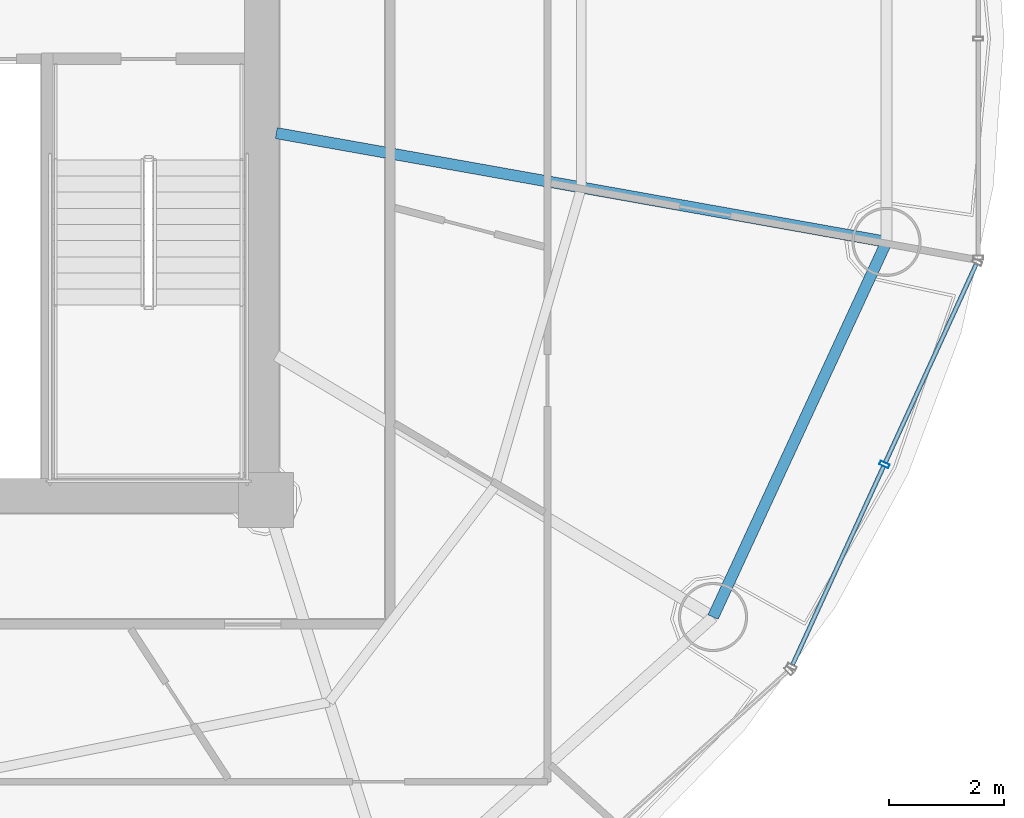
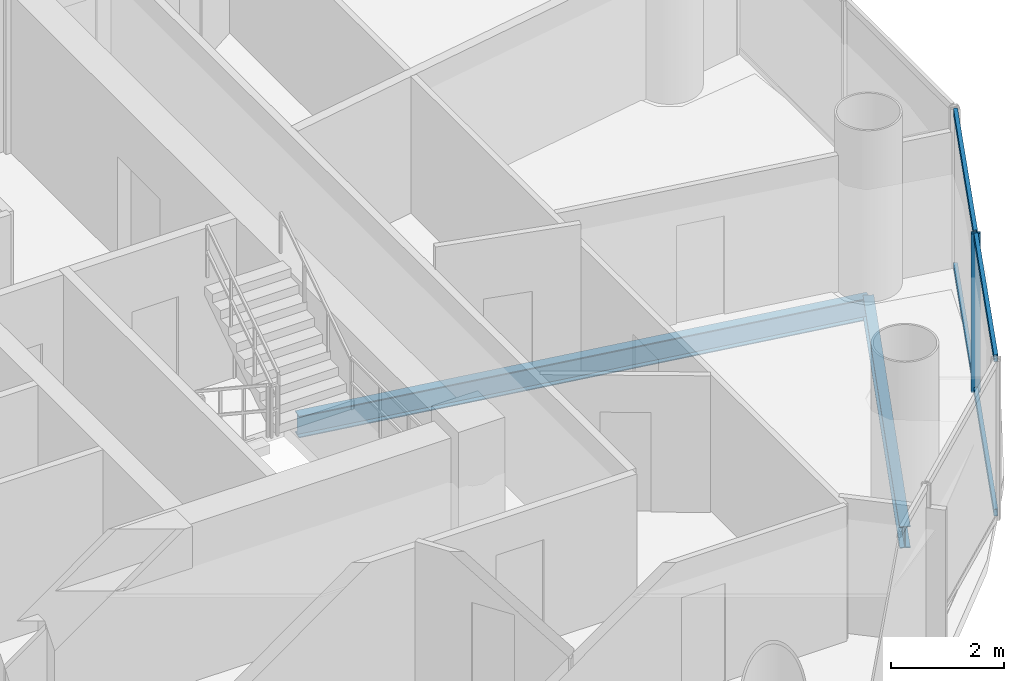
# One storey, part 11 of 27: 5 members, 2 beams, 1 element without a shape of its own.
"""IFC4 building model written with IfcOpenShell, lengths in metres."""

from ifc_helpers import new_model, si_unit, direction, frame, origin, origin_2d, place, context, subcontext, project, spatial, hollow_rectangle, i_section, extrude, source, transform, mapped, material, material_profile, profile_set, type_object, element, aggregate, save


model = new_model("IFC4")

# Units and contexts
model_context = context("Model", 3, precision=1e-05, world=origin(), true_north=direction((-0.2419218956, 0.970295726276)))
body_context = subcontext(model_context, "Body", "Model", "MODEL_VIEW")
ifc_project = project(units=[si_unit("LENGTHUNIT", "METRE"), si_unit("AREAUNIT", "SQUARE_METRE"), si_unit("VOLUMEUNIT", "CUBIC_METRE"), si_unit("PLANEANGLEUNIT", "RADIAN"), si_unit("MASSUNIT", "GRAM", prefix="KILO")], contexts=[model_context])

# Site, building, storey
site_placement = place(None, origin())
site = spatial("IfcSite", under=ifc_project, at=site_placement, CompositionType="ELEMENT")
building_placement = place(site_placement, origin())
building = spatial("IfcBuilding", under=site, at=building_placement, Name="Cobrevalo Terracotta Tower", CompositionType="ELEMENT")
storey_placement = place(building_placement, frame((0.0, 0.0, 198.60009765625)))
storey = spatial("IfcBuildingStorey", under=building, at=storey_placement, Name="L52", CompositionType="ELEMENT", Elevation=198.60009765625)

# Beams
ifc_material_1 = material(Name="Steel S355", Category="steel")
ifc_material_profile_1 = material_profile(ifc_material_1, i_section(OverallWidth=0.194091796875, OverallDepth=0.468994140625, WebThickness=0.011474609375, FlangeThickness=0.0205078125, at=origin_2d()), Name="W 460x106")
ifc_profile_set_1 = profile_set([ifc_material_profile_1], Name="Steel S355")
beam_type_1 = type_object("IfcBeamType", Name="Structural Beam W 460x106 (Steel S355)", PredefinedType="BEAM", material=ifc_profile_set_1)
beam_1_placement = place(storey_placement, frame((57.762939453125, 23.278564453125, -0.49951171875), z_axis=(-0.984493198547, 0.175422752274, 0.0), x_axis=(-0.175422752274, -0.984493198547, 0.0)))
element("IfcBeam", 1, at=beam_1_placement, inside=storey, type_object=beam_type_1, Name="L52 radial floor girder 16", PredefinedType="BEAM", context=body_context, shape_type="SweptSolid", body=[
    extrude(i_section(OverallWidth=0.194091796875, OverallDepth=0.468994140625, WebThickness=0.011474609375, FlangeThickness=0.0205078125, at=origin_2d()), origin(), (0.0, 0.0, 1.0), 10.749755859375),
])
ifc_material_profile_2 = material_profile(ifc_material_1, i_section(OverallWidth=0.194091796875, OverallDepth=0.468994140625, WebThickness=0.011474609375, FlangeThickness=0.0205078125, at=origin_2d()), Name="W 460x106")
ifc_profile_set_2 = profile_set([ifc_material_profile_2], Name="Steel S355")
beam_type_2 = type_object("IfcBeamType", Name="Structural Spandrel W 460x106 (Steel S355)", PredefinedType="SPANDREL", material=ifc_profile_set_2)
beam_2_placement = place(storey_placement, frame((54.754150390625, 16.77197265625, -0.49951171875), z_axis=(0.419718939129, 0.90765412583, 0.0), x_axis=(-0.90765412583, 0.419718939129, 0.0)))
element("IfcBeam", 2, at=beam_2_placement, inside=storey, type_object=beam_type_2, Name="L52 perimeter ring spandrel 15", PredefinedType="SPANDREL", context=body_context, shape_type="SweptSolid", body=[
    extrude(i_section(OverallWidth=0.194091796875, OverallDepth=0.468994140625, WebThickness=0.011474609375, FlangeThickness=0.0205078125, at=origin_2d()), origin(), (0.0, 0.0, 1.0), 7.168701171875),
])

# Curtain wall, members
ifc_material_2 = material(Name="Anodized aluminium", Category="aluminium")
curtain_wall_type = type_object("IfcCurtainWallType", Name="Mid-tower high-wind unitised curtain wall CW-U2", PredefinedType="NOTDEFINED", material=ifc_material_2)
curtain_wall_placement = place(storey_placement, origin())
curtain_wall = element("IfcCurtainWall", 3, at=curtain_wall_placement, inside=storey, type_object=curtain_wall_type, Name="L52 curtain wall CW-L52-S15", PredefinedType="NOTDEFINED")
ifc_material_profile_3 = material_profile(ifc_material_2, hollow_rectangle(XDim=0.074951171875, YDim=0.14990234375, WallThickness=0.00439453125, at=origin_2d()), Name="CWT 75x150")
ifc_profile_set_3 = profile_set([ifc_material_profile_3], Name="Anodized aluminium")
member_type_1 = type_object("IfcMemberType", Name="Tower unitised aluminium transom 75x150", PredefinedType="USERDEFINED", material=ifc_profile_set_3)
shared_shape_1 = source(origin(), body_context, "Body", "SweptSolid", [
    extrude(hollow_rectangle(XDim=0.074951171875, YDim=0.14990234375, WallThickness=0.00439453125, at=origin_2d()), origin(), (0.0, 0.0, 1.0), 3.780029296875),
])
member_1_placement = place(storey_placement, frame((56.134521484375, 15.944580078125, 0.0498046875), z_axis=(0.416705859352, 0.909041377926, 0.0), x_axis=(-0.909041377926, 0.416705859352, 0.0)))
member_1 = element("IfcMember", 4, at=member_1_placement, type_object=member_type_1, Name="CW-L52-S15 transom B01-T1", ObjectType="TRANSOM", PredefinedType="USERDEFINED", context=body_context, shape_type="MappedRepresentation", body=[
    mapped(shared_shape_1, transform((0.0, 0.0, 0.0), scale=1.0)),
])
member_2_placement = place(storey_placement, frame((56.134521484375, 15.944580078125, 3.385009765625), z_axis=(0.416705859352, 0.909041377926, 0.0), x_axis=(-0.909041377926, 0.416705859352, 0.0)))
member_2 = element("IfcMember", 5, at=member_2_placement, type_object=member_type_1, Name="CW-L52-S15 transom B01-T2", ObjectType="TRANSOM", PredefinedType="USERDEFINED", context=body_context, shape_type="MappedRepresentation", body=[
    mapped(shared_shape_1, transform((0.0, 0.0, 0.0), scale=1.0)),
])
member_3_placement = place(storey_placement, frame((57.7431640625, 19.45361328125, 0.0498046875), z_axis=(0.416705859352, 0.909041377926, 0.0), x_axis=(-0.909041377926, 0.416705859352, 0.0)))
member_3 = element("IfcMember", 6, at=member_3_placement, type_object=member_type_1, Name="CW-L52-S15 transom B02-T1", ObjectType="TRANSOM", PredefinedType="USERDEFINED", context=body_context, shape_type="MappedRepresentation", body=[
    mapped(shared_shape_1, transform((0.0, 0.0, 0.0), scale=1.0)),
])
member_4_placement = place(storey_placement, frame((57.7431640625, 19.45361328125, 3.385009765625), z_axis=(0.416705859352, 0.909041377926, 0.0), x_axis=(-0.909041377926, 0.416705859352, 0.0)))
member_4 = element("IfcMember", 7, at=member_4_placement, type_object=member_type_1, Name="CW-L52-S15 transom B02-T2", ObjectType="TRANSOM", PredefinedType="USERDEFINED", context=body_context, shape_type="MappedRepresentation", body=[
    mapped(shared_shape_1, transform((0.0, 0.0, 0.0), scale=1.0)),
])
ifc_material_profile_4 = material_profile(ifc_material_2, hollow_rectangle(XDim=0.070068359375, YDim=0.169921875, WallThickness=0.00439453125, at=origin_2d()), Name="CWM 70x170")
ifc_profile_set_4 = profile_set([ifc_material_profile_4], Name="Anodized aluminium")
member_type_2 = type_object("IfcMemberType", Name="Upper tower unitised mullion 70x170", PredefinedType="MULLION", material=ifc_profile_set_4)
shared_shape_2 = source(origin(), body_context, "Body", "SweptSolid", [
    extrude(hollow_rectangle(XDim=0.070068359375, YDim=0.169921875, WallThickness=0.00439453125, at=origin_2d()), origin(), (0.0, 0.0, 1.0), 3.434814453125),
])
member_5_placement = place(storey_placement, frame((57.726318359375, 19.417236328125, 0.0), z_axis=(0.0, 0.0, 1.0), x_axis=(0.41672507912, 0.909032567311, 0.0)))
member_5 = element("IfcMember", 8, at=member_5_placement, type_object=member_type_2, Name="CW-L52-S15 vertical mullion 02", PredefinedType="MULLION", context=body_context, shape_type="MappedRepresentation", body=[
    mapped(shared_shape_2, transform((0.0, 0.0, 0.0), scale=1.0)),
])
aggregate(curtain_wall, [member_5, member_1, member_2, member_3, member_4])

save(model, "model.ifc")
